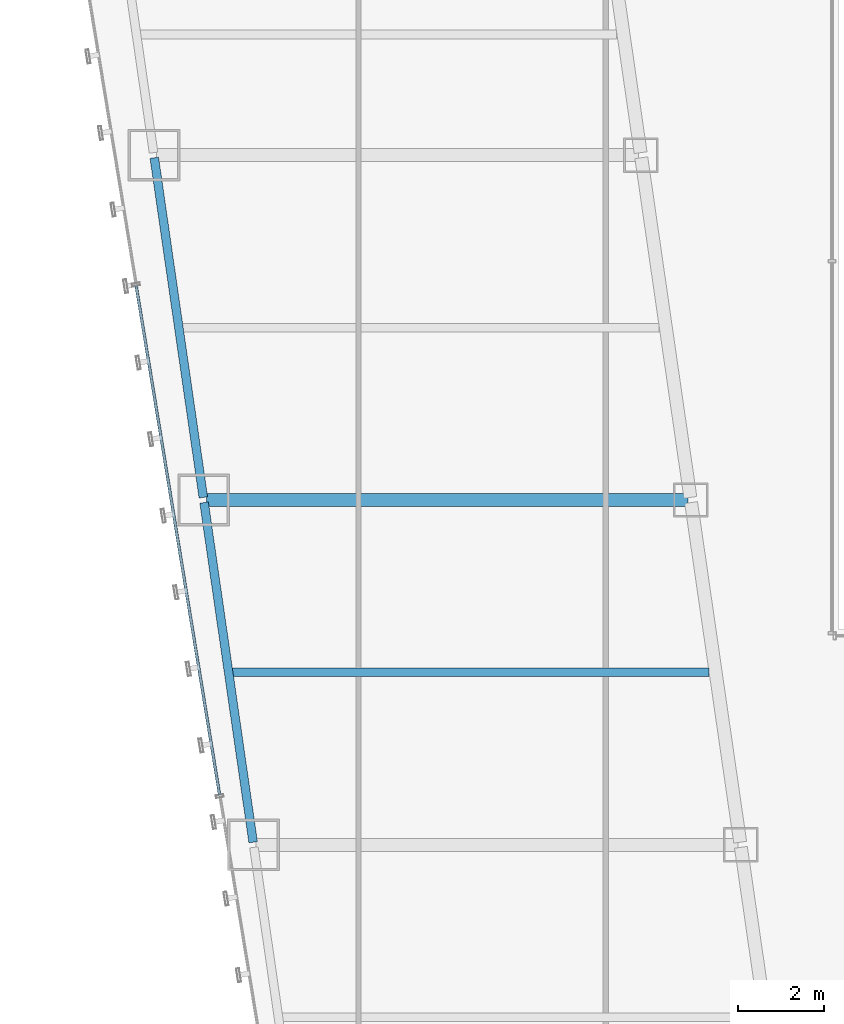
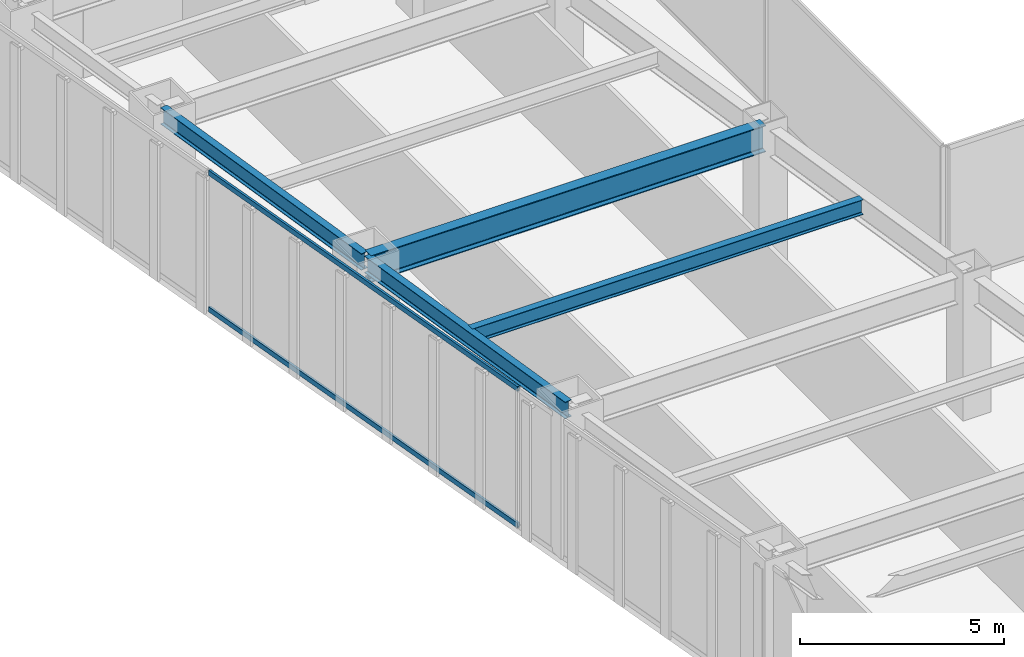
# One storey, part 10 of 47: 4 beams, 2 members, 1 element without a shape of its own.
"""IFC4 building model written with IfcOpenShell, lengths in metres."""

from ifc_helpers import new_model, si_unit, direction, frame, origin, origin_2d, place, context, subcontext, project, spatial, hollow_rectangle, i_section, extrude, material, material_profile, profile_set, type_object, element, aggregate, save


model = new_model("IFC4")

# Units and contexts
model_context = context("Model", 3, precision=1e-05, world=origin(), true_north=direction((0.0, 1.0)))
body_context = subcontext(model_context, "Body", "Model", "MODEL_VIEW")
ifc_project = project(units=[si_unit("LENGTHUNIT", "METRE"), si_unit("AREAUNIT", "SQUARE_METRE"), si_unit("VOLUMEUNIT", "CUBIC_METRE"), si_unit("PLANEANGLEUNIT", "RADIAN"), si_unit("MASSUNIT", "GRAM", prefix="KILO")], contexts=[model_context])

# Site, building, storey
site_placement = place(None, origin())
site = spatial("IfcSite", under=ifc_project, at=site_placement, CompositionType="ELEMENT")
building_placement = place(site_placement, origin())
building = spatial("IfcBuilding", under=site, at=building_placement, Name="Saevonmaru Cultural Tower", CompositionType="ELEMENT")
storey_placement = place(building_placement, frame((0.0, 0.0, 42.800048828125)))
storey = spatial("IfcBuildingStorey", under=building, at=storey_placement, Name="L08", CompositionType="ELEMENT", Elevation=42.800048828125)

# Beams
ifc_material_1 = material(Name="Steel SM420", Category="steel")
ifc_material_profile_1 = material_profile(ifc_material_1, i_section(OverallWidth=0.300048828125, OverallDepth=0.800048828125, WebThickness=0.013916015625, FlangeThickness=0.02587890625, FilletRadius=0.028076171875, at=origin_2d()), Name="H-800x300x14x26")
ifc_profile_set_1 = profile_set([ifc_material_profile_1], Name="Steel SM420")
beam_type_1 = type_object("IfcBeamType", Name="BM-G-H800", PredefinedType="BEAM", material=ifc_profile_set_1)
beam_1_placement = place(storey_placement, frame((9.531982421875, 24.0, 3.75), z_axis=(1.0, 0.0, 0.0), x_axis=(0.0, 1.0, 0.0)))
element("IfcBeam", 1, at=beam_1_placement, inside=storey, type_object=beam_type_1, Name="L08 West Wing Transverse Girder 4", PredefinedType="BEAM", context=body_context, shape_type="SweptSolid", body=[
    extrude(i_section(OverallWidth=0.300048828125, OverallDepth=0.800048828125, WebThickness=0.013916015625, FlangeThickness=0.02587890625, FilletRadius=0.028076171875, at=origin_2d()), origin(), (0.0, 0.0, 1.0), 11.179931640625),
])
ifc_material_2 = material(Name="Steel SM355", Category="steel")
ifc_material_profile_2 = material_profile(ifc_material_2, i_section(OverallWidth=0.199951171875, OverallDepth=0.449951171875, WebThickness=0.009033203125, FlangeThickness=0.013916015625, FilletRadius=0.01806640625, at=origin_2d()), Name="H-450x200x9x14")
ifc_profile_set_2 = profile_set([ifc_material_profile_2], Name="Steel SM355")
beam_type_2 = type_object("IfcBeamType", Name="BM-J-H450", PredefinedType="JOIST", material=ifc_profile_set_2)
beam_2_placement = place(storey_placement, frame((10.110107421875, 20.0, 3.925048828125), z_axis=(1.0, 0.0, 0.0), x_axis=(0.0, 1.0, 0.0)))
element("IfcBeam", 2, at=beam_2_placement, inside=storey, type_object=beam_type_2, Name="L08 West Wing Floor Joist 3", PredefinedType="JOIST", context=body_context, shape_type="SweptSolid", body=[
    extrude(i_section(OverallWidth=0.199951171875, OverallDepth=0.449951171875, WebThickness=0.009033203125, FlangeThickness=0.013916015625, FilletRadius=0.01806640625, at=origin_2d()), origin(), (0.0, 0.0, 1.0), 11.081787109375),
])
ifc_material_profile_3 = material_profile(ifc_material_2, i_section(OverallWidth=0.199951171875, OverallDepth=0.5, WebThickness=0.010009765625, FlangeThickness=0.01611328125, FilletRadius=0.02001953125, at=origin_2d()), Name="H-500x200x10x16")
ifc_profile_set_3 = profile_set([ifc_material_profile_3], Name="Steel SM355")
beam_type_3 = type_object("IfcBeamType", Name="BM-SP-H500", PredefinedType="SPANDREL", material=ifc_profile_set_3)
for number, where, z_axis, x_axis, name in (
    (3, (10.619384765625, 16.059326171875, 3.89990234375), (-0.142992129437, 0.989723825579, 0.0), (-0.989723825579, -0.142992129437, 0.0), "L08 West Splayed Spandrel 3"),
    (4, (9.46337890625, 24.059326171875, 3.89990234375), (-0.142871999001, 0.989741174197, 0.0), (-0.989741174197, -0.142871999001, 0.0), "L08 West Splayed Spandrel 4"),
):
    element("IfcBeam", number, at=place(storey_placement, frame(where, z_axis=z_axis, x_axis=x_axis)), inside=storey, type_object=beam_type_3, Name=name, PredefinedType="SPANDREL", context=body_context, shape_type="SweptSolid", body=[
        extrude(i_section(OverallWidth=0.199951171875, OverallDepth=0.5, WebThickness=0.010009765625, FlangeThickness=0.01611328125, FilletRadius=0.02001953125, at=origin_2d()), origin(), (0.0, 0.0, 1.0), 7.963134765625),
    ])

# Curtain wall, members
ifc_material_3 = material(Name="Satin Bronze Anodised Aluminium", Category="aluminium")
curtain_wall_type = type_object("IfcCurtainWallType", Name="CW-TYP-A", PredefinedType="NOTDEFINED", material=ifc_material_3)
curtain_wall_placement = place(storey_placement, origin())
curtain_wall = element("IfcCurtainWall", 5, at=curtain_wall_placement, inside=storey, type_object=curtain_wall_type, Name="L08 Unitised Curtain Wall E12", PredefinedType="NOTDEFINED")
ifc_material_profile_4 = material_profile(ifc_material_3, hollow_rectangle(XDim=0.06494140625, YDim=0.14990234375, WallThickness=0.00390625, at=origin_2d()), Name="ALU-TRAN-150x65x4")
ifc_profile_set_4 = profile_set([ifc_material_profile_4], Name="Satin Bronze Anodised Aluminium")
member_type = type_object("IfcMemberType", Name="TR-CW-150x65", PredefinedType="USERDEFINED", material=ifc_profile_set_4)
member_1_placement = place(storey_placement, frame((7.9052734375, 28.968017578125, 0.032470703125), z_axis=(0.161701400727, -0.986839732177, 0.0), x_axis=(0.986839732177, 0.161701400727, 0.0)))
member_1 = element("IfcMember", 6, at=member_1_placement, type_object=member_type, Name="CW-TW-L08-E12 transom 3.1", ObjectType="TRANSOM", PredefinedType="USERDEFINED", context=body_context, shape_type="SweptSolid", body=[
    extrude(hollow_rectangle(XDim=0.06494140625, YDim=0.14990234375, WallThickness=0.00390625, at=origin_2d()), origin(), (0.0, 0.0, 1.0), 11.9638671875),
])
member_2_placement = place(storey_placement, frame((7.9052734375, 28.968017578125, 4.117431640625), z_axis=(0.161701400727, -0.986839732177, 0.0), x_axis=(0.986839732177, 0.161701400727, 0.0)))
member_2 = element("IfcMember", 7, at=member_2_placement, type_object=member_type, Name="CW-TW-L08-E12 transom 3.2", ObjectType="TRANSOM", PredefinedType="USERDEFINED", context=body_context, shape_type="SweptSolid", body=[
    extrude(hollow_rectangle(XDim=0.06494140625, YDim=0.14990234375, WallThickness=0.00390625, at=origin_2d()), origin(), (0.0, 0.0, 1.0), 11.9638671875),
])
aggregate(curtain_wall, [member_1, member_2])

save(model, "model.ifc")
